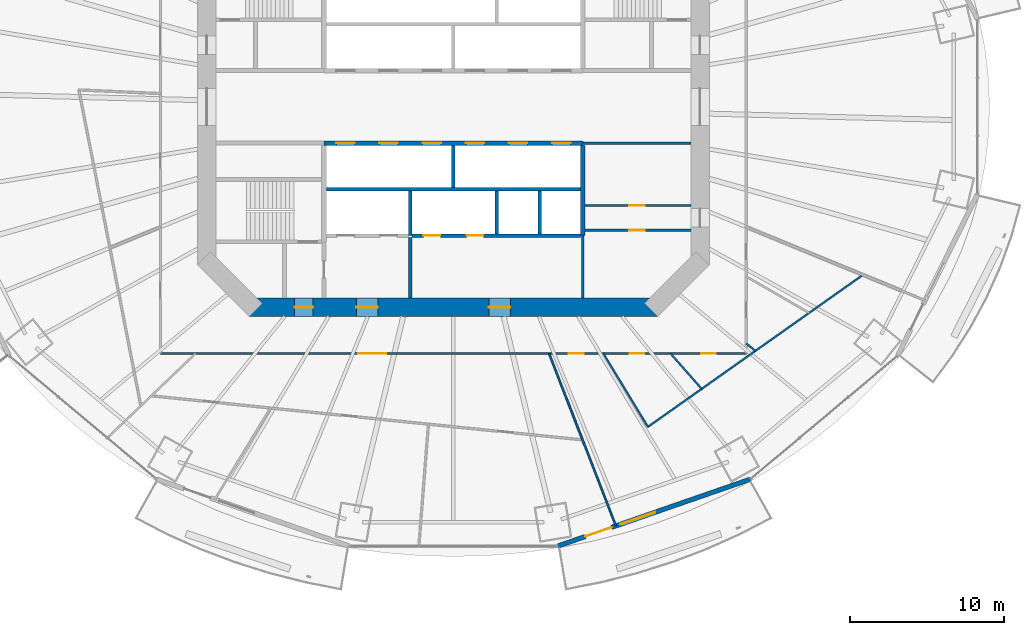
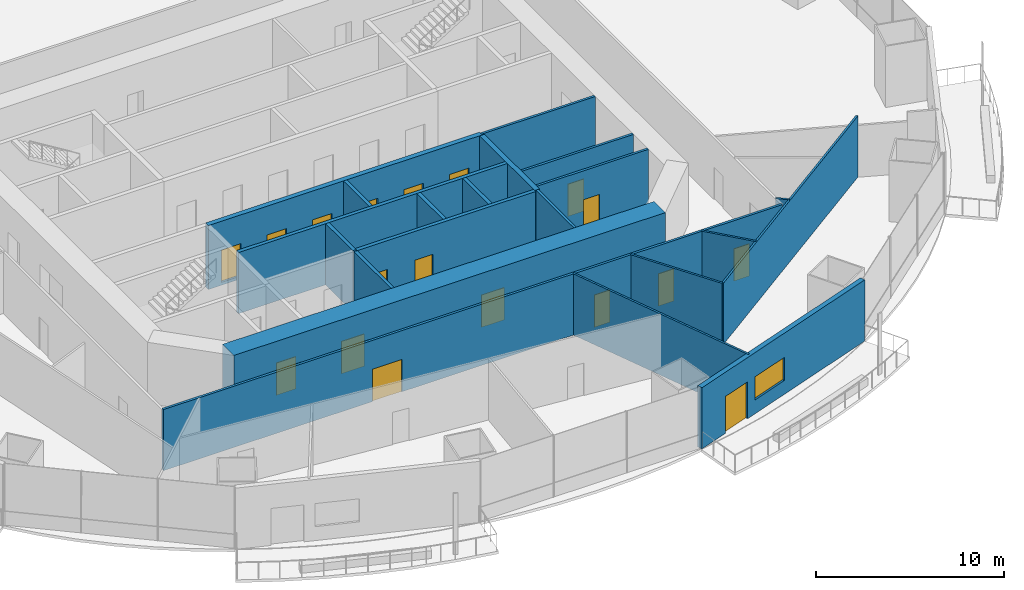
# One storey, part 14 of 22: 21 walls, 18 doors, 1 window, 19 openings.
"""IFC4 building model written with IfcOpenShell, lengths in metres."""

import ifcopenshell
import ifcopenshell.guid

model = None  # the IFC model being written
_history = None  # IfcOwnerHistory: only IFC2X3 demands one
_inside = {}  # id of a spatial element -> (the spatial element, [elements in it])
_under = {}  # id of a project, library or spatial element -> (it, [spatial elements below it])
_declared = {}  # id of a project -> (the project, [libraries it declares])
_typed = {}  # id of a type object -> (the type object, [elements of that type])
_made_of = {}  # id of a material, layer set ... -> (it, [elements and type objects made of it])


def new_model(schema):
    """Start an empty IFC model of exactly this schema.

    Asked for "IFC4X3", IfcOpenShell would pick the latest addendum, in which some entities
    have other attributes; the version numbers below select the first issue.
    IFC2X3 requires an IfcOwnerHistory on every rooted entity: one is made here for all.
    """
    global model, _history
    if schema == "IFC4X3":
        model = ifcopenshell.file(schema_version=(4, 3, 0, 0))
    else:
        model = ifcopenshell.file(schema=schema)
    _inside.clear()
    _under.clear()
    _declared.clear()
    _typed.clear()
    _made_of.clear()
    _history = None
    if model.schema == "IFC2X3":
        org = make("IfcOrganization", Name="unknown")
        user = make(
            "IfcPersonAndOrganization",
            ThePerson=make("IfcPerson", FamilyName="unknown"),
            TheOrganization=org,
        )
        app = make(
            "IfcApplication",
            ApplicationDeveloper=org,
            Version="unknown",
            ApplicationFullName="unknown",
            ApplicationIdentifier="unknown",
        )
        _history = make(
            "IfcOwnerHistory",
            OwningUser=user,
            OwningApplication=app,
            ChangeAction="ADDED",
            CreationDate=0,
        )
    return model


def make(cls, **values):
    """One entity of the class cls with the attributes given. An attribute that is None is left unset."""
    return model.create_entity(
        cls, **{name: value for name, value in values.items() if value is not None}
    )


def rooted(cls, **values):
    """An entity with a GlobalId (a new one), such as an element, a storey or a relation."""
    return make(cls, GlobalId=ifcopenshell.guid.new(), OwnerHistory=_history, **values)


def si_unit(unit_type, name, prefix=None):
    """IfcSIUnit, for example si_unit("LENGTHUNIT", "METRE", prefix="MILLI")."""
    return make("IfcSIUnit", UnitType=unit_type, Prefix=prefix, Name=name)


def assignment(units):
    """IfcUnitAssignment: the units of a project."""
    return None if units is None else make("IfcUnitAssignment", Units=units)


def point(xyz):
    """IfcCartesianPoint."""
    return None if xyz is None else make("IfcCartesianPoint", Coordinates=xyz)


def direction(xyz):
    """IfcDirection."""
    return None if xyz is None else make("IfcDirection", DirectionRatios=xyz)


def frame(location, z_axis=None, x_axis=None):
    """IfcAxis2Placement3D, a coordinate frame: its origin and axes. An axis left out is left unset."""
    return make(
        "IfcAxis2Placement3D",
        Location=point(location),
        Axis=direction(z_axis),
        RefDirection=direction(x_axis),
    )


def frame_2d(location, x_axis=None):
    """IfcAxis2Placement2D, a coordinate frame in the plane: its origin and x axis."""
    return make(
        "IfcAxis2Placement2D", Location=point(location), RefDirection=direction(x_axis)
    )


def origin():
    """The frame at (0, 0, 0) with its axes left unset."""
    return frame((0.0, 0.0, 0.0))


def place(relative_to, where):
    """IfcLocalPlacement: puts the frame where relative to a parent placement (None: the world)."""
    return make(
        "IfcLocalPlacement", PlacementRelTo=relative_to, RelativePlacement=where
    )


def context(
    kind, dimensions, precision=None, world=None, true_north=None, identifier=None
):
    """IfcGeometricRepresentationContext, for example the 3D "Model" context."""
    return make(
        "IfcGeometricRepresentationContext",
        ContextIdentifier=identifier,
        ContextType=kind,
        CoordinateSpaceDimension=dimensions,
        Precision=precision,
        WorldCoordinateSystem=world,
        TrueNorth=true_north,
    )


def subcontext(parent, identifier, kind, view, scale=None):
    """IfcGeometricRepresentationSubContext, for example "Body" below "Model"."""
    return make(
        "IfcGeometricRepresentationSubContext",
        ContextIdentifier=identifier,
        ContextType=kind,
        ParentContext=parent,
        TargetScale=scale,
        TargetView=view,
    )


def project(units=None, contexts=None):
    """IfcProject with its units and contexts."""
    return rooted(
        "IfcProject",
        Name="project",
        RepresentationContexts=contexts,
        UnitsInContext=assignment(units),
    )


def spatial(cls, under=None, at=None, **own):
    """A site, building, storey or space (cls), placed at a placement, below another one or the project."""
    s = rooted(cls, ObjectPlacement=at, **own)
    if under is not None:
        _under.setdefault(under.id(), (under, []))[1].append(s)
    return s


def profile(cls, at=None, kind="AREA", **sizes):
    """A parametric profile (cls). Its sizes go by their IFC names, for example OverallWidth=200.0."""
    return make(cls, ProfileType=kind, Position=at, **sizes)


def rectangle(**sizes):
    """IfcRectangleProfileDef."""
    return profile("IfcRectangleProfileDef", **sizes)


def extrude(swept, where, along, depth):
    """IfcExtrudedAreaSolid: the profile swept, set in the frame where, extruded along a direction by depth."""
    return make(
        "IfcExtrudedAreaSolid",
        SweptArea=swept,
        Position=where,
        ExtrudedDirection=direction(along),
        Depth=depth,
    )


def shape(context_of_items, identifier, shape_type, items):
    """IfcShapeRepresentation: the items that make up one representation, for example the "Body"."""
    return make(
        "IfcShapeRepresentation",
        ContextOfItems=context_of_items,
        RepresentationIdentifier=identifier,
        RepresentationType=shape_type,
        Items=items,
    )


def material(Name=None, Category=None):
    """IfcMaterial."""
    return make("IfcMaterial", Name=Name, Category=Category)


def layer(
    of_material, thickness, ventilated=None, Name=None, Category=None, Priority=None
):
    """IfcMaterialLayer: one layer of a wall or slab, of a material (None: an air gap)."""
    return make(
        "IfcMaterialLayer",
        Material=of_material,
        LayerThickness=thickness,
        IsVentilated=ventilated,
        Name=Name,
        Category=Category,
        Priority=Priority,
    )


def layer_set(layers, Name=None):
    """IfcMaterialLayerSet."""
    return make("IfcMaterialLayerSet", MaterialLayers=layers, LayerSetName=Name)


def made_of(thing, what):
    """Note that an element or type object is made of a material, layer set ...; save() writes the relation."""
    if what is not None:
        _made_of.setdefault(what.id(), (what, []))[1].append(thing)
    return thing


def type_object(cls, material=None, **own):
    """A type object (cls), such as IfcWallType, which elements share."""
    return made_of(rooted(cls, **own), material)


def element(
    cls,
    number,
    at=None,
    inside=None,
    cuts=None,
    type_object=None,
    material=None,
    context=None,
    identifier="Body",
    shape_type=None,
    held_by="IfcProductDefinitionShape",
    body=None,
    shapes=None,
    **own,
):
    """One element of the class cls, such as IfcWall. Its Tag is "e" and its number.

    at: its placement. inside: the storey or other place that contains it. cuts: it is an
    opening in that element (IfcRelVoidsElement). A single representation is given by context,
    identifier, shape_type and body (its items); several are given by shapes. held_by: the class
    of the entity that holds the representations. save() writes the other relations.
    """
    e = rooted(cls, Tag="e%d" % number, ObjectPlacement=at, **own)
    if body is not None:
        shapes = [shape(context, identifier, shape_type, body)]
    if shapes is not None:
        e.Representation = make(held_by, Representations=shapes)
    if inside is not None:
        _inside.setdefault(inside.id(), (inside, []))[1].append(e)
    if cuts is not None:
        rooted(
            "IfcRelVoidsElement", RelatingBuildingElement=cuts, RelatedOpeningElement=e
        )
    if type_object is not None:
        _typed.setdefault(type_object.id(), (type_object, []))[1].append(e)
    return made_of(e, material)


def fill(opening, filler):
    """IfcRelFillsElement: the door or window that sits in an opening."""
    return rooted(
        "IfcRelFillsElement",
        RelatingOpeningElement=opening,
        RelatedBuildingElement=filler,
    )


def aggregate(whole, parts):
    """IfcRelAggregates: a whole, such as a stair, and the parts it consists of."""
    return rooted("IfcRelAggregates", RelatingObject=whole, RelatedObjects=parts)


def save(model, path):
    """Write the relations noted so far, then the file.

    IfcRelAggregates (storeys below a building ...), IfcRelContainedInSpatialStructure (elements
    in a storey), IfcRelDefinesByType, IfcRelAssociatesMaterial and IfcRelDeclares: one each for
    every whole, place, type object, material and project.
    """
    for whole, parts in _under.values():
        aggregate(whole, parts)
    for where, things in _inside.values():
        rooted(
            "IfcRelContainedInSpatialStructure",
            RelatedElements=things,
            RelatingStructure=where,
        )
    for kind, things in _typed.values():
        rooted("IfcRelDefinesByType", RelatedObjects=things, RelatingType=kind)
    for what, things in _made_of.values():
        rooted("IfcRelAssociatesMaterial", RelatedObjects=things, RelatingMaterial=what)
    for by, libraries in _declared.values():
        rooted("IfcRelDeclares", RelatingContext=by, RelatedDefinitions=libraries)
    model.write(path)


model = new_model("IFC4")

# Units and contexts
model_context = context("Model", 3, precision=1e-05, world=origin(), true_north=direction((0.0, 1.0)))
body_context = subcontext(model_context, "Body", "Model", "MODEL_VIEW")
ifc_project = project(units=[si_unit("LENGTHUNIT", "METRE"), si_unit("AREAUNIT", "SQUARE_METRE"), si_unit("VOLUMEUNIT", "CUBIC_METRE"), si_unit("PLANEANGLEUNIT", "RADIAN"), si_unit("MASSUNIT", "GRAM", prefix="KILO")], contexts=[model_context])

# Site, building, storey
site_placement = place(None, origin())
site = spatial("IfcSite", under=ifc_project, at=site_placement, CompositionType="ELEMENT")
building_placement = place(site_placement, origin())
building = spatial("IfcBuilding", under=site, at=building_placement, Name="Marenthal Gate Tower", CompositionType="ELEMENT")
storey_placement = place(building_placement, frame((0.0, 0.0, 95.25)))
storey = spatial("IfcBuildingStorey", under=building, at=storey_placement, Name="L19", CompositionType="ELEMENT", Elevation=95.25)

# Wall, openings, doors
ifc_material_1 = material(Name="Concrete 60 MPa", Category="concrete")
ifc_layer_1 = layer(ifc_material_1, 1.199951171875)
ifc_layer_set_1 = layer_set([ifc_layer_1], Name="Core shear wall 1200")
wall_type_1 = type_object("IfcWallType", Name="Core shear wall 1200", PredefinedType="SHEAR", material=ifc_layer_set_1)
wall_1_placement = place(storey_placement, frame((-13.24853515625, -13.0, -0.179931640625), z_axis=(0.0, 0.0, 1.0), x_axis=(1.0, 0.0, 0.0)))
wall_1 = element("IfcWall", 1, at=wall_1_placement, inside=storey, type_object=wall_type_1, Name="Core wall 08", PredefinedType="SHEAR", context=body_context, shape_type="SweptSolid", body=[
    extrude(rectangle(XDim=26.4970703125, YDim=1.199951171875, at=frame_2d((13.24853515625, 0.0))), origin(), (0.0, 0.0, 1.0), 4.14990234375),
])
opening_1_placement = place(wall_1_placement, frame((2.948486328125, 0.0, 0.179931640625)))
opening_1 = element("IfcOpeningElement", 2, at=opening_1_placement, cuts=wall_1, Name="Opening D001.06", PredefinedType="OPENING", context=body_context, shape_type="SweptSolid", body=[
    extrude(rectangle(XDim=1.199951171875, YDim=2.10009765625, at=frame_2d((0.60009765625, 1.050048828125))), frame((0.0, 0.60986328125, 0.0), z_axis=(0.0, -1.0, 0.0), x_axis=(1.0, 0.0, 0.0)), (0.0, 0.0, 1.0), 1.219970703125),
])
opening_2_placement = place(wall_1_placement, frame((6.948486328125, 0.0, 0.179931640625)))
opening_2 = element("IfcOpeningElement", 3, at=opening_2_placement, cuts=wall_1, Name="Opening D004.01", PredefinedType="OPENING", context=body_context, shape_type="SweptSolid", body=[
    extrude(rectangle(XDim=1.39990234375, YDim=2.10009765625, at=frame_2d((0.699951171875, 1.050048828125))), frame((0.0, 0.60986328125, 0.0), z_axis=(0.0, -1.0, 0.0), x_axis=(1.0, 0.0, 0.0)), (0.0, 0.0, 1.0), 1.219970703125),
])
opening_3_placement = place(wall_1_placement, frame((15.548583984375, 0.0, 0.179931640625)))
opening_3 = element("IfcOpeningElement", 4, at=opening_3_placement, cuts=wall_1, Name="Opening D004.02", PredefinedType="OPENING", context=body_context, shape_type="SweptSolid", body=[
    extrude(rectangle(XDim=1.39990234375, YDim=2.10009765625, at=frame_2d((0.699951171875, 1.050048828125))), frame((0.0, 0.60986328125, 0.0), z_axis=(0.0, -1.0, 0.0), x_axis=(1.0, 0.0, 0.0)), (0.0, 0.0, 1.0), 1.219970703125),
])
ifc_material_2 = material(Name="Steel fire door", Category="steel")
door_type_1 = type_object("IfcDoorType", Name="Fire door FD 45 1400 x 2100", OperationType="NOTDEFINED", PredefinedType="DOOR", material=ifc_material_2)
door_1_placement = place(opening_2_placement, origin())
door_1 = element("IfcDoor", 5, at=door_1_placement, inside=storey, type_object=door_type_1, Name="Door D004.01", OperationType="SINGLE_SWING_RIGHT", OverallHeight=2.10009765625, OverallWidth=1.39990234375, PredefinedType="DOOR", context=body_context, shape_type="SweptSolid", body=[
    extrude(rectangle(XDim=1.39990234375, YDim=2.10009765625, at=frame_2d((0.699951171875, 1.050048828125))), frame((0.0, 0.02490234375, 0.0), z_axis=(0.0, -1.0, 0.0), x_axis=(1.0, 0.0, 0.0)), (0.0, 0.0, 1.0), 0.050048828125),
])
fill(opening_2, door_1)
door_2_placement = place(opening_3_placement, origin())
door_2 = element("IfcDoor", 6, at=door_2_placement, inside=storey, type_object=door_type_1, Name="Door D004.02", OperationType="SINGLE_SWING_RIGHT", OverallHeight=2.10009765625, OverallWidth=1.39990234375, PredefinedType="DOOR", context=body_context, shape_type="SweptSolid", body=[
    extrude(rectangle(XDim=1.39990234375, YDim=2.10009765625, at=frame_2d((0.699951171875, 1.050048828125))), frame((0.0, 0.02490234375, 0.0), z_axis=(0.0, -1.0, 0.0), x_axis=(1.0, 0.0, 0.0)), (0.0, 0.0, 1.0), 0.050048828125),
])
fill(opening_3, door_2)
ifc_material_3 = material(Name="Steel fire door", Category="steel")
door_type_2 = type_object("IfcDoorType", Name="Fire door FD 90 1200 x 2100", OperationType="NOTDEFINED", PredefinedType="DOOR", material=ifc_material_3)
door_3_placement = place(opening_1_placement, origin())
door_3 = element("IfcDoor", 7, at=door_3_placement, inside=storey, type_object=door_type_2, Name="Door D001.06", OperationType="SINGLE_SWING_RIGHT", OverallHeight=2.10009765625, OverallWidth=1.199951171875, PredefinedType="DOOR", context=body_context, shape_type="SweptSolid", body=[
    extrude(rectangle(XDim=1.199951171875, YDim=2.10009765625, at=frame_2d((0.60009765625, 1.050048828125))), frame((0.0, 0.02490234375, 0.0), z_axis=(0.0, -1.0, 0.0), x_axis=(1.0, 0.0, 0.0)), (0.0, 0.0, 1.0), 0.050048828125),
])
fill(opening_1, door_3)

# Wall
ifc_material_4 = material(Name="Gypsum board on steel studs", Category="steel")
ifc_layer_2 = layer(ifc_material_4, 0.199951171875)
ifc_layer_set_2 = layer_set([ifc_layer_2], Name="Fire lobby wall 200")
wall_type_2 = type_object("IfcWallType", Name="Fire lobby wall 200", PredefinedType="PARTITIONING", material=ifc_layer_set_2)
wall_2_placement = place(storey_placement, frame((-2.800048828125, -12.39990234375, 0.0), z_axis=(0.0, 0.0, 1.0), x_axis=(0.0, 1.0, 0.0)))
element("IfcWall", 8, at=wall_2_placement, inside=storey, type_object=wall_type_2, Name="Fire wall 34", PredefinedType="PARTITIONING", context=body_context, shape_type="SweptSolid", body=[
    extrude(rectangle(XDim=3.93994140625, YDim=0.199951171875, at=frame_2d((1.969970703125, 0.0))), origin(), (0.0, 0.0, 1.0), 3.969970703125),
])

# Wall, openings, doors
ifc_material_5 = material(Name="Concrete 50 MPa", Category="concrete")
ifc_layer_3 = layer(ifc_material_5, 0.300048828125)
ifc_layer_set_3 = layer_set([ifc_layer_3], Name="Hoistway shear wall 300")
wall_type_3 = type_object("IfcWallType", Name="Hoistway shear wall 300", PredefinedType="SHEAR", material=ifc_layer_set_3)
wall_3_placement = place(storey_placement, frame((-8.39990234375, -2.35009765625, -0.179931640625), z_axis=(0.0, 0.0, 1.0), x_axis=(1.0, 0.0, 0.0)))
wall_3 = element("IfcWall", 9, at=wall_3_placement, inside=storey, type_object=wall_type_3, Name="Hoistway wall 17", PredefinedType="SHEAR", context=body_context, shape_type="SweptSolid", body=[
    extrude(rectangle(XDim=16.7998046875, YDim=0.300048828125, at=frame_2d((8.39990234375, 0.0))), origin(), (0.0, 0.0, 1.0), 4.14990234375),
])
opening_4_placement = place(wall_3_placement, frame((0.800048828125, 0.0, 0.179931640625)))
opening_4 = element("IfcOpeningElement", 10, at=opening_4_placement, cuts=wall_3, Name="Opening LD-LP7", PredefinedType="OPENING", context=body_context, shape_type="SweptSolid", body=[
    extrude(rectangle(XDim=1.199951171875, YDim=2.10009765625, at=frame_2d((0.60009765625, 1.050048828125))), frame((0.0, 0.16015625, 0.0), z_axis=(0.0, -1.0, 0.0), x_axis=(1.0, 0.0, 0.0)), (0.0, 0.0, 1.0), 0.320068359375),
])
opening_5_placement = place(wall_3_placement, frame((3.60009765625, 0.0, 0.179931640625)))
opening_5 = element("IfcOpeningElement", 11, at=opening_5_placement, cuts=wall_3, Name="Opening LD-LP8", PredefinedType="OPENING", context=body_context, shape_type="SweptSolid", body=[
    extrude(rectangle(XDim=1.199951171875, YDim=2.10009765625, at=frame_2d((0.60009765625, 1.050048828125))), frame((0.0, 0.16015625, 0.0), z_axis=(0.0, -1.0, 0.0), x_axis=(1.0, 0.0, 0.0)), (0.0, 0.0, 1.0), 0.320068359375),
])
opening_6_placement = place(wall_3_placement, frame((6.39990234375, 0.0, 0.179931640625)))
opening_6 = element("IfcOpeningElement", 12, at=opening_6_placement, cuts=wall_3, Name="Opening LD-LP9", PredefinedType="OPENING", context=body_context, shape_type="SweptSolid", body=[
    extrude(rectangle(XDim=1.199951171875, YDim=2.10009765625, at=frame_2d((0.60009765625, 1.050048828125))), frame((0.0, 0.16015625, 0.0), z_axis=(0.0, -1.0, 0.0), x_axis=(1.0, 0.0, 0.0)), (0.0, 0.0, 1.0), 0.320068359375),
])
opening_7_placement = place(wall_3_placement, frame((9.199951171875, 0.0, 0.179931640625)))
opening_7 = element("IfcOpeningElement", 13, at=opening_7_placement, cuts=wall_3, Name="Opening LD-LP10", PredefinedType="OPENING", context=body_context, shape_type="SweptSolid", body=[
    extrude(rectangle(XDim=1.199951171875, YDim=2.10009765625, at=frame_2d((0.60009765625, 1.050048828125))), frame((0.0, 0.16015625, 0.0), z_axis=(0.0, -1.0, 0.0), x_axis=(1.0, 0.0, 0.0)), (0.0, 0.0, 1.0), 0.320068359375),
])
opening_8_placement = place(wall_3_placement, frame((12.0, 0.0, 0.179931640625)))
opening_8 = element("IfcOpeningElement", 14, at=opening_8_placement, cuts=wall_3, Name="Opening LD-LP11", PredefinedType="OPENING", context=body_context, shape_type="SweptSolid", body=[
    extrude(rectangle(XDim=1.199951171875, YDim=2.10009765625, at=frame_2d((0.60009765625, 1.050048828125))), frame((0.0, 0.16015625, 0.0), z_axis=(0.0, -1.0, 0.0), x_axis=(1.0, 0.0, 0.0)), (0.0, 0.0, 1.0), 0.320068359375),
])
opening_9_placement = place(wall_3_placement, frame((14.800048828125, 0.0, 0.179931640625)))
opening_9 = element("IfcOpeningElement", 15, at=opening_9_placement, cuts=wall_3, Name="Opening LD-LP12", PredefinedType="OPENING", context=body_context, shape_type="SweptSolid", body=[
    extrude(rectangle(XDim=1.199951171875, YDim=2.10009765625, at=frame_2d((0.60009765625, 1.050048828125))), frame((0.0, 0.16015625, 0.0), z_axis=(0.0, -1.0, 0.0), x_axis=(1.0, 0.0, 0.0)), (0.0, 0.0, 1.0), 0.320068359375),
])
ifc_material_6 = material(Name="Stainless steel sliding door", Category="steel")
door_type_3 = type_object("IfcDoorType", Name="Lift landing door FD 90 1200 x 2100", OperationType="DOUBLE_DOOR_SLIDING", PredefinedType="DOOR", material=ifc_material_6)
door_4_placement = place(opening_4_placement, origin())
door_4 = element("IfcDoor", 16, at=door_4_placement, inside=storey, type_object=door_type_3, Name="Lift landing door LP7", OperationType="DOUBLE_DOOR_SLIDING", OverallHeight=2.10009765625, OverallWidth=1.199951171875, PredefinedType="DOOR", context=body_context, shape_type="SweptSolid", body=[
    extrude(rectangle(XDim=1.199951171875, YDim=2.10009765625, at=frame_2d((0.60009765625, 1.050048828125))), frame((0.0, 0.02490234375, 0.0), z_axis=(0.0, -1.0, 0.0), x_axis=(1.0, 0.0, 0.0)), (0.0, 0.0, 1.0), 0.050048828125),
])
fill(opening_4, door_4)
door_5_placement = place(opening_5_placement, origin())
door_5 = element("IfcDoor", 17, at=door_5_placement, inside=storey, type_object=door_type_3, Name="Lift landing door LP8", OperationType="DOUBLE_DOOR_SLIDING", OverallHeight=2.10009765625, OverallWidth=1.199951171875, PredefinedType="DOOR", context=body_context, shape_type="SweptSolid", body=[
    extrude(rectangle(XDim=1.199951171875, YDim=2.10009765625, at=frame_2d((0.60009765625, 1.050048828125))), frame((0.0, 0.02490234375, 0.0), z_axis=(0.0, -1.0, 0.0), x_axis=(1.0, 0.0, 0.0)), (0.0, 0.0, 1.0), 0.050048828125),
])
fill(opening_5, door_5)
door_6_placement = place(opening_6_placement, origin())
door_6 = element("IfcDoor", 18, at=door_6_placement, inside=storey, type_object=door_type_3, Name="Lift landing door LP9", OperationType="DOUBLE_DOOR_SLIDING", OverallHeight=2.10009765625, OverallWidth=1.199951171875, PredefinedType="DOOR", context=body_context, shape_type="SweptSolid", body=[
    extrude(rectangle(XDim=1.199951171875, YDim=2.10009765625, at=frame_2d((0.60009765625, 1.050048828125))), frame((0.0, 0.02490234375, 0.0), z_axis=(0.0, -1.0, 0.0), x_axis=(1.0, 0.0, 0.0)), (0.0, 0.0, 1.0), 0.050048828125),
])
fill(opening_6, door_6)
door_7_placement = place(opening_7_placement, origin())
door_7 = element("IfcDoor", 19, at=door_7_placement, inside=storey, type_object=door_type_3, Name="Lift landing door LP10", OperationType="DOUBLE_DOOR_SLIDING", OverallHeight=2.10009765625, OverallWidth=1.199951171875, PredefinedType="DOOR", context=body_context, shape_type="SweptSolid", body=[
    extrude(rectangle(XDim=1.199951171875, YDim=2.10009765625, at=frame_2d((0.60009765625, 1.050048828125))), frame((0.0, 0.02490234375, 0.0), z_axis=(0.0, -1.0, 0.0), x_axis=(1.0, 0.0, 0.0)), (0.0, 0.0, 1.0), 0.050048828125),
])
fill(opening_7, door_7)
door_8_placement = place(opening_8_placement, origin())
door_8 = element("IfcDoor", 20, at=door_8_placement, inside=storey, type_object=door_type_3, Name="Lift landing door LP11", OperationType="DOUBLE_DOOR_SLIDING", OverallHeight=2.10009765625, OverallWidth=1.199951171875, PredefinedType="DOOR", context=body_context, shape_type="SweptSolid", body=[
    extrude(rectangle(XDim=1.199951171875, YDim=2.10009765625, at=frame_2d((0.60009765625, 1.050048828125))), frame((0.0, 0.02490234375, 0.0), z_axis=(0.0, -1.0, 0.0), x_axis=(1.0, 0.0, 0.0)), (0.0, 0.0, 1.0), 0.050048828125),
])
fill(opening_8, door_8)
door_9_placement = place(opening_9_placement, origin())
door_9 = element("IfcDoor", 21, at=door_9_placement, inside=storey, type_object=door_type_3, Name="Lift landing door LP12", OperationType="DOUBLE_DOOR_SLIDING", OverallHeight=2.10009765625, OverallWidth=1.199951171875, PredefinedType="DOOR", context=body_context, shape_type="SweptSolid", body=[
    extrude(rectangle(XDim=1.199951171875, YDim=2.10009765625, at=frame_2d((0.60009765625, 1.050048828125))), frame((0.0, 0.02490234375, 0.0), z_axis=(0.0, -1.0, 0.0), x_axis=(1.0, 0.0, 0.0)), (0.0, 0.0, 1.0), 0.050048828125),
])
fill(opening_9, door_9)

# Wall
wall_4_placement = place(storey_placement, frame((8.39990234375, -8.35009765625, -0.179931640625), z_axis=(0.0, 0.0, 1.0), x_axis=(0.0, 1.0, 0.0)))
element("IfcWall", 22, at=wall_4_placement, inside=storey, type_object=wall_type_3, Name="Hoistway wall 43", PredefinedType="SHEAR", context=body_context, shape_type="SweptSolid", body=[
    extrude(rectangle(XDim=5.85009765625, YDim=0.300048828125, at=frame_2d((2.925048828125, 0.0))), origin(), (0.0, 0.0, 1.0), 4.14990234375),
])

# Wall, openings, doors
ifc_material_7 = material(Name="Concrete 40 MPa", Category="concrete")
ifc_layer_4 = layer(ifc_material_7, 0.219970703125)
ifc_layer_set_4 = layer_set([ifc_layer_4], Name="Hoistway wall 220")
wall_type_4 = type_object("IfcWallType", Name="Hoistway wall 220", PredefinedType="STANDARD", material=ifc_layer_set_4)
wall_5_placement = place(storey_placement, frame((-2.68994140625, -8.35009765625, 0.0), z_axis=(0.0, 0.0, 1.0), x_axis=(1.0, 0.0, 0.0)))
wall_5 = element("IfcWall", 23, at=wall_5_placement, inside=storey, type_object=wall_type_4, Name="Hoistway wall 11", PredefinedType="STANDARD", context=body_context, shape_type="SweptSolid", body=[
    extrude(rectangle(XDim=10.93994140625, YDim=0.219970703125, at=frame_2d((5.469970703125, 0.0))), origin(), (0.0, 0.0, 1.0), 3.969970703125),
])
opening_10_placement = place(wall_5_placement, frame((0.739990234375, 0.0, 0.0)))
opening_10 = element("IfcOpeningElement", 24, at=opening_10_placement, cuts=wall_5, Name="Opening LD-SV1", PredefinedType="OPENING", context=body_context, shape_type="SweptSolid", body=[
    extrude(rectangle(XDim=1.10009765625, YDim=2.10009765625, at=frame_2d((0.550048828125, 1.050048828125))), frame((0.0, 0.1201171875, 0.0), z_axis=(0.0, -1.0, 0.0), x_axis=(1.0, 0.0, 0.0)), (0.0, 0.0, 1.0), 0.239990234375),
])
opening_11_placement = place(wall_5_placement, frame((3.5400390625, 0.0, 0.0)))
opening_11 = element("IfcOpeningElement", 25, at=opening_11_placement, cuts=wall_5, Name="Opening LD-SV2", PredefinedType="OPENING", context=body_context, shape_type="SweptSolid", body=[
    extrude(rectangle(XDim=1.10009765625, YDim=2.10009765625, at=frame_2d((0.550048828125, 1.050048828125))), frame((0.0, 0.1201171875, 0.0), z_axis=(0.0, -1.0, 0.0), x_axis=(1.0, 0.0, 0.0)), (0.0, 0.0, 1.0), 0.239990234375),
])
ifc_material_8 = material(Name="Stainless steel sliding door", Category="steel")
door_type_4 = type_object("IfcDoorType", Name="Lift landing door FD 90 1100 x 2100", OperationType="DOUBLE_DOOR_SLIDING", PredefinedType="DOOR", material=ifc_material_8)
door_10_placement = place(opening_10_placement, origin())
door_10 = element("IfcDoor", 26, at=door_10_placement, inside=storey, type_object=door_type_4, Name="Lift landing door SV1", OperationType="DOUBLE_DOOR_SLIDING", OverallHeight=2.10009765625, OverallWidth=1.10009765625, PredefinedType="DOOR", context=body_context, shape_type="SweptSolid", body=[
    extrude(rectangle(XDim=1.10009765625, YDim=2.10009765625, at=frame_2d((0.550048828125, 1.050048828125))), frame((0.0, 0.02490234375, 0.0), z_axis=(0.0, -1.0, 0.0), x_axis=(1.0, 0.0, 0.0)), (0.0, 0.0, 1.0), 0.050048828125),
])
fill(opening_10, door_10)
door_11_placement = place(opening_11_placement, origin())
door_11 = element("IfcDoor", 27, at=door_11_placement, inside=storey, type_object=door_type_4, Name="Lift landing door SV2", OperationType="DOUBLE_DOOR_SLIDING", OverallHeight=2.10009765625, OverallWidth=1.10009765625, PredefinedType="DOOR", context=body_context, shape_type="SweptSolid", body=[
    extrude(rectangle(XDim=1.10009765625, YDim=2.10009765625, at=frame_2d((0.550048828125, 1.050048828125))), frame((0.0, 0.02490234375, 0.0), z_axis=(0.0, -1.0, 0.0), x_axis=(1.0, 0.0, 0.0)), (0.0, 0.0, 1.0), 0.050048828125),
])
fill(opening_11, door_11)

# Walls
wall_6_placement = place(storey_placement, frame((-8.25, -5.35009765625, 0.0), z_axis=(0.0, 0.0, 1.0), x_axis=(1.0, 0.0, 0.0)))
element("IfcWall", 28, at=wall_6_placement, inside=storey, type_object=wall_type_4, Name="Hoistway wall 14", PredefinedType="STANDARD", context=body_context, shape_type="SweptSolid", body=[
    extrude(rectangle(XDim=16.5, YDim=0.219970703125, at=frame_2d((8.25, 0.0))), origin(), (0.0, 0.0, 1.0), 3.969970703125),
])
wall_7_placement = place(storey_placement, frame((-2.800048828125, -8.35009765625, 0.0), z_axis=(0.0, 0.0, 1.0), x_axis=(0.0, 1.0, 0.0)))
element("IfcWall", 29, at=wall_7_placement, inside=storey, type_object=wall_type_4, Name="Hoistway wall 35", PredefinedType="STANDARD", context=body_context, shape_type="SweptSolid", body=[
    extrude(rectangle(XDim=2.89013671875, YDim=0.219970703125, at=frame_2d((1.445068359375, 0.0))), origin(), (0.0, 0.0, 1.0), 3.969970703125),
])
wall_8_placement = place(storey_placement, frame((0.0, -5.239990234375, 0.0), z_axis=(0.0, 0.0, 1.0), x_axis=(0.0, 1.0, 0.0)))
element("IfcWall", 30, at=wall_8_placement, inside=storey, type_object=wall_type_4, Name="Hoistway wall 36", PredefinedType="STANDARD", context=body_context, shape_type="SweptSolid", body=[
    extrude(rectangle(XDim=2.739990234375, YDim=0.219970703125, at=frame_2d((1.3701171875, 0.0))), origin(), (0.0, 0.0, 1.0), 3.969970703125),
])
for number, where, z_axis, x_axis, name in (
    (31, (2.800048828125, -8.239990234375, 0.0), (0.0, 0.0, 1.0), (0.0, 1.0, 0.0), "Hoistway wall 38"),
    (32, (5.60009765625, -8.239990234375, 0.0), (0.0, 0.0, 1.0), (0.0, 1.0, 0.0), "Hoistway wall 41"),
):
    element("IfcWall", number, at=place(storey_placement, frame(where, z_axis=z_axis, x_axis=x_axis)), inside=storey, type_object=wall_type_4, Name=name, PredefinedType="STANDARD", context=body_context, shape_type="SweptSolid", body=[
        extrude(rectangle(XDim=2.780029296875, YDim=0.219970703125, at=frame_2d((1.39013671875, 0.0))), origin(), (0.0, 0.0, 1.0), 3.969970703125),
    ])
ifc_material_9 = material(Name="Gypsum board on steel studs", Category="steel")
ifc_layer_5 = layer(ifc_material_9, 0.1201171875)
ifc_layer_set_5 = layer_set([ifc_layer_5], Name="Partition 120")
wall_type_5 = type_object("IfcWallType", Name="Partition 120", PredefinedType="PARTITIONING", material=ifc_layer_set_5)
wall_9_placement = place(storey_placement, frame((6.205078125, -16.0, 0.0), z_axis=(0.0, 0.0, 1.0), x_axis=(0.361589601178, -0.932337364005, 0.0)))
element("IfcWall", 33, at=wall_9_placement, inside=storey, type_object=wall_type_5, Name="Partition wall 57", PredefinedType="PARTITIONING", context=body_context, shape_type="SweptSolid", body=[
    extrude(rectangle(XDim=11.99462890625, YDim=0.1201171875, at=frame_2d((5.997314453125, 0.0))), origin(), (0.0, 0.0, 1.0), 3.969970703125),
])
wall_10_placement = place(storey_placement, frame((12.618896484375, -20.7607421875, 0.0), z_axis=(0.0, 0.0, 1.0), x_axis=(0.816544971261, 0.57728182884, 0.0)))
element("IfcWall", 34, at=wall_10_placement, inside=storey, type_object=wall_type_5, Name="Partition wall 58", PredefinedType="PARTITIONING", context=body_context, shape_type="SweptSolid", body=[
    extrude(rectangle(XDim=17.080322265625, YDim=0.1201171875, at=frame_2d((8.5400390625, 0.0))), origin(), (0.0, 0.0, 1.0), 3.969970703125),
])
wall_11_placement = place(storey_placement, frame((12.618896484375, -20.7607421875, 0.0), z_axis=(0.0, 0.0, 1.0), x_axis=(-0.519417180042, 0.854520797335, 0.0)))
element("IfcWall", 35, at=wall_11_placement, inside=storey, type_object=wall_type_5, Name="Partition wall 59", PredefinedType="PARTITIONING", context=body_context, shape_type="SweptSolid", body=[
    extrude(rectangle(XDim=5.5712890625, YDim=0.1201171875, at=frame_2d((2.78564453125, 0.0))), origin(), (0.0, 0.0, 1.0), 3.969970703125),
])
wall_12_placement = place(storey_placement, frame((16.105712890625, -18.295654296875, 0.0), z_axis=(0.0, 0.0, 1.0), x_axis=(-0.660779035131, 0.750580486511, 0.0)))
element("IfcWall", 36, at=wall_12_placement, inside=storey, type_object=wall_type_5, Name="Partition wall 60", PredefinedType="PARTITIONING", context=body_context, shape_type="SweptSolid", body=[
    extrude(rectangle(XDim=3.05859375, YDim=0.1201171875, at=frame_2d((1.529296875, 0.0))), origin(), (0.0, 0.0, 1.0), 3.969970703125),
])
wall_13_placement = place(storey_placement, frame((19.59228515625, -15.830810546875, 0.0), z_axis=(0.0, 0.0, 1.0), x_axis=(-0.777700050574, 0.628635531399, 0.0)))
element("IfcWall", 37, at=wall_13_placement, inside=storey, type_object=wall_type_5, Name="Partition wall 64", PredefinedType="PARTITIONING", context=body_context, shape_type="SweptSolid", body=[
    extrude(rectangle(XDim=0.761474609375, YDim=0.1201171875, at=frame_2d((0.380859375, 0.0))), origin(), (0.0, 0.0, 1.0), 3.969970703125),
])

# Wall, opening, door
ifc_material_10 = material(Name="Gypsum board on steel studs", Category="steel")
ifc_layer_6 = layer(ifc_material_10, 0.14990234375)
ifc_layer_set_6 = layer_set([ifc_layer_6], Name="Partition 150")
wall_type_6 = type_object("IfcWallType", Name="Partition 150", PredefinedType="PARTITIONING", material=ifc_layer_set_6)
wall_14_placement = place(storey_placement, frame((8.550048828125, -8.0, 0.0), z_axis=(0.0, 0.0, 1.0), x_axis=(1.0, 0.0, 0.0)))
wall_14 = element("IfcWall", 38, at=wall_14_placement, inside=storey, type_object=wall_type_6, Name="Partition wall 12", PredefinedType="PARTITIONING", context=body_context, shape_type="SweptSolid", body=[
    extrude(rectangle(XDim=6.849853515625, YDim=0.14990234375, at=frame_2d((3.4248046875, 0.0))), origin(), (0.0, 0.0, 1.0), 3.969970703125),
])
opening_12_placement = place(wall_14_placement, frame((2.85009765625, 0.0, 0.0)))
opening_12 = element("IfcOpeningElement", 39, at=opening_12_placement, cuts=wall_14, Name="Opening D005.04", PredefinedType="OPENING", context=body_context, shape_type="SweptSolid", body=[
    extrude(rectangle(XDim=1.0, YDim=2.10009765625, at=frame_2d((0.5, 1.050048828125))), frame((0.0, 0.0849609375, 0.0), z_axis=(0.0, -1.0, 0.0), x_axis=(1.0, 0.0, 0.0)), (0.0, 0.0, 1.0), 0.169921875),
])
ifc_material_11 = material(Name="Steel fire door", Category="steel")
door_type_5 = type_object("IfcDoorType", Name="Fire door FD 45 1000 x 2100", OperationType="NOTDEFINED", PredefinedType="DOOR", material=ifc_material_11)
door_12_placement = place(opening_12_placement, frame((1.0, 0.0, 0.0), z_axis=(0.0, 0.0, 1.0), x_axis=(-1.0, 0.0, 0.0)))
door_12 = element("IfcDoor", 40, at=door_12_placement, inside=storey, type_object=door_type_5, Name="Door D005.04", OperationType="SINGLE_SWING_LEFT", OverallHeight=2.10009765625, OverallWidth=1.0, PredefinedType="DOOR", context=body_context, shape_type="SweptSolid", body=[
    extrude(rectangle(XDim=1.0, YDim=2.10009765625, at=frame_2d((0.5, 1.050048828125))), frame((0.0, 0.02490234375, 0.0), z_axis=(0.0, -1.0, 0.0), x_axis=(1.0, 0.0, 0.0)), (0.0, 0.0, 1.0), 0.050048828125),
])
fill(opening_12, door_12)

wall_15_placement = place(storey_placement, frame((8.550048828125, -6.39990234375, 0.0), z_axis=(0.0, 0.0, 1.0), x_axis=(1.0, 0.0, 0.0)))
wall_15 = element("IfcWall", 41, at=wall_15_placement, inside=storey, type_object=wall_type_6, Name="Partition wall 13", PredefinedType="PARTITIONING", context=body_context, shape_type="SweptSolid", body=[
    extrude(rectangle(XDim=6.849853515625, YDim=0.14990234375, at=frame_2d((3.4248046875, 0.0))), origin(), (0.0, 0.0, 1.0), 3.969970703125),
])
opening_13_placement = place(wall_15_placement, frame((2.85009765625, 0.0, 0.0)))
opening_13 = element("IfcOpeningElement", 42, at=opening_13_placement, cuts=wall_15, Name="Opening D005.03", PredefinedType="OPENING", context=body_context, shape_type="SweptSolid", body=[
    extrude(rectangle(XDim=1.0, YDim=2.10009765625, at=frame_2d((0.5, 1.050048828125))), frame((0.0, 0.0849609375, 0.0), z_axis=(0.0, -1.0, 0.0), x_axis=(1.0, 0.0, 0.0)), (0.0, 0.0, 1.0), 0.169921875),
])
door_13_placement = place(opening_13_placement, origin())
door_13 = element("IfcDoor", 43, at=door_13_placement, inside=storey, type_object=door_type_5, Name="Door D005.03", OperationType="SINGLE_SWING_RIGHT", OverallHeight=2.10009765625, OverallWidth=1.0, PredefinedType="DOOR", context=body_context, shape_type="SweptSolid", body=[
    extrude(rectangle(XDim=1.0, YDim=2.10009765625, at=frame_2d((0.5, 1.050048828125))), frame((0.0, 0.02490234375, 0.0), z_axis=(0.0, -1.0, 0.0), x_axis=(1.0, 0.0, 0.0)), (0.0, 0.0, 1.0), 0.050048828125),
])
fill(opening_13, door_13)

# Walls
wall_16_placement = place(storey_placement, frame((8.39990234375, -2.35009765625, 0.0), z_axis=(0.0, 0.0, 1.0), x_axis=(1.0, 0.0, 0.0)))
element("IfcWall", 44, at=wall_16_placement, inside=storey, type_object=wall_type_6, Name="Partition wall 18", PredefinedType="PARTITIONING", context=body_context, shape_type="SweptSolid", body=[
    extrude(rectangle(XDim=7.0, YDim=0.14990234375, at=frame_2d((3.5, 0.0))), origin(), (0.0, 0.0, 1.0), 3.969970703125),
])
wall_17_placement = place(storey_placement, frame((8.39990234375, -12.39990234375, 0.0), z_axis=(0.0, 0.0, 1.0), x_axis=(0.0, 1.0, 0.0)))
element("IfcWall", 45, at=wall_17_placement, inside=storey, type_object=wall_type_6, Name="Partition wall 42", PredefinedType="PARTITIONING", context=body_context, shape_type="SweptSolid", body=[
    extrude(rectangle(XDim=4.0498046875, YDim=0.14990234375, at=frame_2d((2.02490234375, 0.0))), origin(), (0.0, 0.0, 1.0), 3.969970703125),
])

# Wall, openings, doors
wall_18_placement = place(storey_placement, frame((19.0, -16.0, 0.0), z_axis=(0.0, 0.0, 1.0), x_axis=(-1.0, 0.0, 0.0)))
wall_18 = element("IfcWall", 46, at=wall_18_placement, inside=storey, type_object=wall_type_6, Name="Partition wall 61", PredefinedType="PARTITIONING", context=body_context, shape_type="SweptSolid", body=[
    extrude(rectangle(XDim=38.0, YDim=0.14990234375, at=frame_2d((19.0, 0.0))), origin(), (0.0, 0.0, 1.0), 3.969970703125),
])
opening_14_placement = place(wall_18_placement, frame((23.362060546875, 0.0, 0.0)))
opening_14 = element("IfcOpeningElement", 47, at=opening_14_placement, cuts=wall_18, Name="Opening D014.03", PredefinedType="OPENING", context=body_context, shape_type="SweptSolid", body=[
    extrude(rectangle(XDim=1.800048828125, YDim=2.10009765625, at=frame_2d((0.89990234375, 1.050048828125))), frame((0.0, 0.0849609375, 0.0), z_axis=(0.0, -1.0, 0.0), x_axis=(1.0, 0.0, 0.0)), (0.0, 0.0, 1.0), 0.169921875),
])
opening_15_placement = place(wall_18_placement, frame((6.6201171875, 0.0, 0.0)))
opening_15 = element("IfcOpeningElement", 48, at=opening_15_placement, cuts=wall_18, Name="Opening D016.06", PredefinedType="OPENING", context=body_context, shape_type="SweptSolid", body=[
    extrude(rectangle(XDim=0.949951171875, YDim=2.10009765625, at=frame_2d((0.47509765625, 1.050048828125))), frame((0.0, 0.0849609375, 0.0), z_axis=(0.0, -1.0, 0.0), x_axis=(1.0, 0.0, 0.0)), (0.0, 0.0, 1.0), 0.169921875),
])
opening_16_placement = place(wall_18_placement, frame((1.98193359375, 0.0, 0.0)))
opening_16 = element("IfcOpeningElement", 49, at=opening_16_placement, cuts=wall_18, Name="Opening D016.07", PredefinedType="OPENING", context=body_context, shape_type="SweptSolid", body=[
    extrude(rectangle(XDim=0.949951171875, YDim=2.10009765625, at=frame_2d((0.47509765625, 1.050048828125))), frame((0.0, 0.0849609375, 0.0), z_axis=(0.0, -1.0, 0.0), x_axis=(1.0, 0.0, 0.0)), (0.0, 0.0, 1.0), 0.169921875),
])
opening_17_placement = place(wall_18_placement, frame((10.56005859375, 0.0, 0.0)))
opening_17 = element("IfcOpeningElement", 50, at=opening_17_placement, cuts=wall_18, Name="Opening D016.10", PredefinedType="OPENING", context=body_context, shape_type="SweptSolid", body=[
    extrude(rectangle(XDim=0.949951171875, YDim=2.10009765625, at=frame_2d((0.47509765625, 1.050048828125))), frame((0.0, 0.0849609375, 0.0), z_axis=(0.0, -1.0, 0.0), x_axis=(1.0, 0.0, 0.0)), (0.0, 0.0, 1.0), 0.169921875),
])
ifc_material_12 = material(Name="Timber door", Category="wood")
door_type_6 = type_object("IfcDoorType", Name="Door 950 x 2100", OperationType="NOTDEFINED", PredefinedType="DOOR", material=ifc_material_12)
door_14_placement = place(opening_15_placement, origin())
door_14 = element("IfcDoor", 51, at=door_14_placement, inside=storey, type_object=door_type_6, Name="Door D016.06", OperationType="SINGLE_SWING_RIGHT", OverallHeight=2.10009765625, OverallWidth=0.949951171875, PredefinedType="DOOR", context=body_context, shape_type="SweptSolid", body=[
    extrude(rectangle(XDim=0.949951171875, YDim=2.10009765625, at=frame_2d((0.47509765625, 1.050048828125))), frame((0.0, 0.02490234375, 0.0), z_axis=(0.0, -1.0, 0.0), x_axis=(1.0, 0.0, 0.0)), (0.0, 0.0, 1.0), 0.050048828125),
])
fill(opening_15, door_14)
door_15_placement = place(opening_16_placement, origin())
door_15 = element("IfcDoor", 52, at=door_15_placement, inside=storey, type_object=door_type_6, Name="Door D016.07", OperationType="SINGLE_SWING_RIGHT", OverallHeight=2.10009765625, OverallWidth=0.949951171875, PredefinedType="DOOR", context=body_context, shape_type="SweptSolid", body=[
    extrude(rectangle(XDim=0.949951171875, YDim=2.10009765625, at=frame_2d((0.47509765625, 1.050048828125))), frame((0.0, 0.02490234375, 0.0), z_axis=(0.0, -1.0, 0.0), x_axis=(1.0, 0.0, 0.0)), (0.0, 0.0, 1.0), 0.050048828125),
])
fill(opening_16, door_15)
door_16_placement = place(opening_17_placement, origin())
door_16 = element("IfcDoor", 53, at=door_16_placement, inside=storey, type_object=door_type_6, Name="Door D016.10", OperationType="SINGLE_SWING_RIGHT", OverallHeight=2.10009765625, OverallWidth=0.949951171875, PredefinedType="DOOR", context=body_context, shape_type="SweptSolid", body=[
    extrude(rectangle(XDim=0.949951171875, YDim=2.10009765625, at=frame_2d((0.47509765625, 1.050048828125))), frame((0.0, 0.02490234375, 0.0), z_axis=(0.0, -1.0, 0.0), x_axis=(1.0, 0.0, 0.0)), (0.0, 0.0, 1.0), 0.050048828125),
])
fill(opening_17, door_16)
ifc_material_13 = material(Name="Timber door", Category="wood")
door_type_7 = type_object("IfcDoorType", Name="Double door 1800 x 2100", OperationType="DOUBLE_DOOR_SINGLE_SWING", PredefinedType="DOOR", material=ifc_material_13)
door_17_placement = place(opening_14_placement, origin())
door_17 = element("IfcDoor", 54, at=door_17_placement, inside=storey, type_object=door_type_7, Name="Door D014.03", OperationType="DOUBLE_DOOR_SINGLE_SWING", OverallHeight=2.10009765625, OverallWidth=1.800048828125, PredefinedType="DOOR", context=body_context, shape_type="SweptSolid", body=[
    extrude(rectangle(XDim=1.800048828125, YDim=2.10009765625, at=frame_2d((0.89990234375, 1.050048828125))), frame((0.0, 0.02490234375, 0.0), z_axis=(0.0, -1.0, 0.0), x_axis=(1.0, 0.0, 0.0)), (0.0, 0.0, 1.0), 0.050048828125),
])
fill(opening_14, door_17)

# Wall, openings, door, window
ifc_material_14 = material(Name="Terracotta cladding on insulated concrete-block backing", Category="masonry")
ifc_layer_7 = layer(ifc_material_14, 0.300048828125)
ifc_layer_set_7 = layer_set([ifc_layer_7], Name="Terracotta facade wall 300")
wall_type_7 = type_object("IfcWallType", Name="Terracotta facade wall 300", PredefinedType="SOLIDWALL", material=ifc_layer_set_7)
wall_19_placement = place(storey_placement, frame((6.763427734375, -28.494873046875, 0.0), z_axis=(0.0, 0.0, 1.0), x_axis=(0.944700030718, 0.327935743647, 0.0)))
wall_19 = element("IfcWall", 55, at=wall_19_placement, inside=storey, type_object=wall_type_7, Name="Terracotta facade wall L19 bay 13", PredefinedType="SOLIDWALL", context=body_context, shape_type="SweptSolid", body=[
    extrude(rectangle(XDim=13.228515625, YDim=0.300048828125, at=frame_2d((6.6142578125, 0.0))), origin(), (0.0, 0.0, 1.0), 3.969970703125),
])
opening_18_placement = place(wall_19_placement, frame((1.89990234375, 0.0, 0.0)))
opening_18 = element("IfcOpeningElement", 56, at=opening_18_placement, cuts=wall_19, Name="Opening BD-L19-13", PredefinedType="OPENING", context=body_context, shape_type="SweptSolid", body=[
    extrude(rectangle(XDim=1.800048828125, YDim=2.39990234375, at=frame_2d((0.89990234375, 1.199951171875))), frame((0.0, 0.16015625, 0.0), z_axis=(0.0, -1.0, 0.0), x_axis=(1.0, 0.0, 0.0)), (0.0, 0.0, 1.0), 0.320068359375),
])
opening_19_placement = place(wall_19_placement, frame((4.300048828125, 0.0, 0.89990234375)))
opening_19 = element("IfcOpeningElement", 57, at=opening_19_placement, cuts=wall_19, Name="Opening WN1-L19-13", PredefinedType="OPENING", context=body_context, shape_type="SweptSolid", body=[
    extrude(rectangle(XDim=2.39990234375, YDim=1.5, at=frame_2d((1.199951171875, 0.75))), frame((0.0, 0.16015625, 0.0), z_axis=(0.0, -1.0, 0.0), x_axis=(1.0, 0.0, 0.0)), (0.0, 0.0, 1.0), 0.320068359375),
])
ifc_material_15 = material(Name="Aluminium and glass", Category="aluminium")
door_type_8 = type_object("IfcDoorType", Name="Balcony door 1800x2400", OperationType="DOUBLE_DOOR_SINGLE_SWING", PredefinedType="DOOR", material=ifc_material_15)
door_18_placement = place(opening_18_placement, origin())
door_18 = element("IfcDoor", 58, at=door_18_placement, inside=storey, type_object=door_type_8, Name="Balcony door L19 bay 13", OperationType="SINGLE_SWING_LEFT", OverallHeight=2.39990234375, OverallWidth=1.800048828125, PredefinedType="DOOR", context=body_context, shape_type="SweptSolid", body=[
    extrude(rectangle(XDim=1.800048828125, YDim=2.39990234375, at=frame_2d((0.89990234375, 1.199951171875))), frame((0.0, 0.02490234375, 0.0), z_axis=(0.0, -1.0, 0.0), x_axis=(1.0, 0.0, 0.0)), (0.0, 0.0, 1.0), 0.050048828125),
])
fill(opening_18, door_18)
ifc_material_16 = material(Name="Aluminium and glass", Category="aluminium")
window_type = type_object("IfcWindowType", Name="Window 2400x1500", PartitioningType="TRIPLE_PANEL_VERTICAL", PredefinedType="WINDOW", material=ifc_material_16)
window_placement = place(opening_19_placement, origin())
window = element("IfcWindow", 59, at=window_placement, inside=storey, type_object=window_type, Name="Window L19 bay 13", OverallHeight=1.5, OverallWidth=2.39990234375, PartitioningType="SINGLE_PANEL", PredefinedType="WINDOW", context=body_context, shape_type="SweptSolid", body=[
    extrude(rectangle(XDim=2.39990234375, YDim=1.5, at=frame_2d((1.199951171875, 0.75))), frame((0.0, 0.030029296875, 0.0), z_axis=(0.0, -1.0, 0.0), x_axis=(1.0, 0.0, 0.0)), (0.0, 0.0, 1.0), 0.06005859375),
])
fill(opening_19, window)

save(model, "model.ifc")
